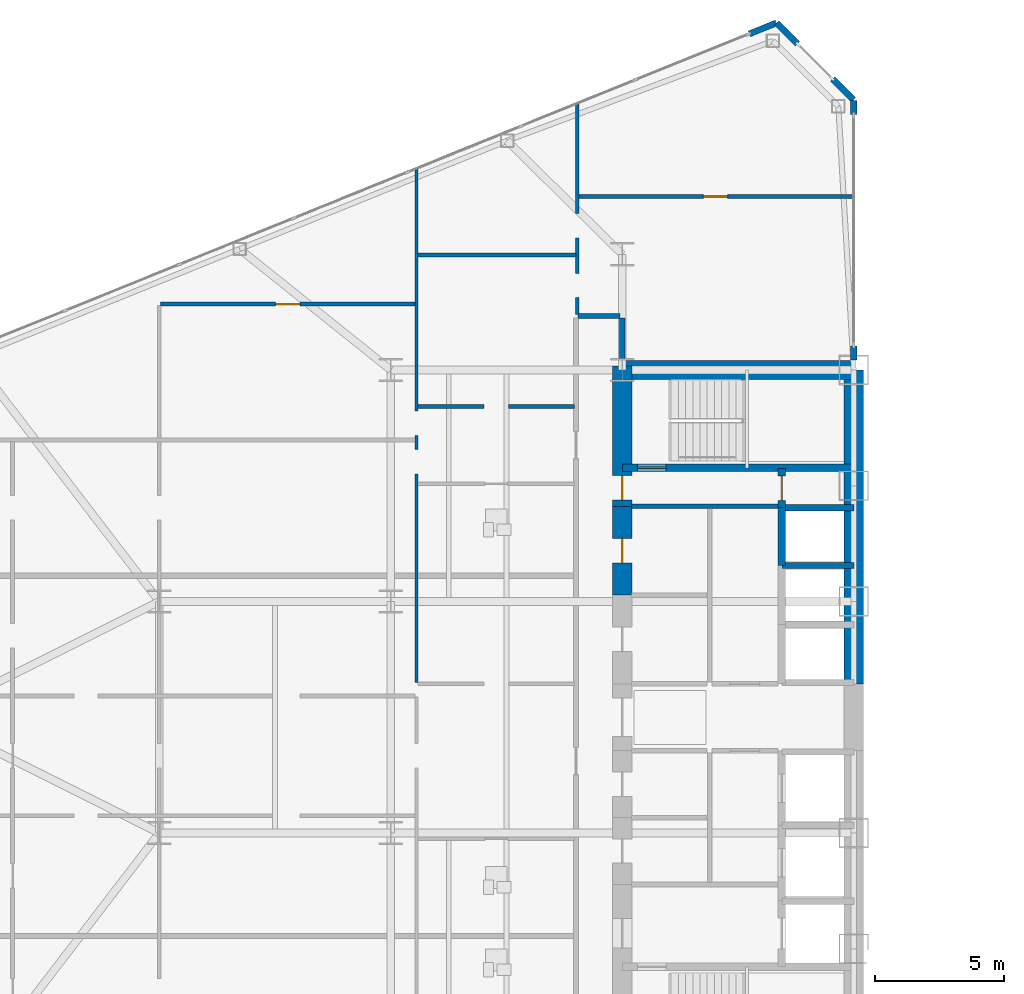
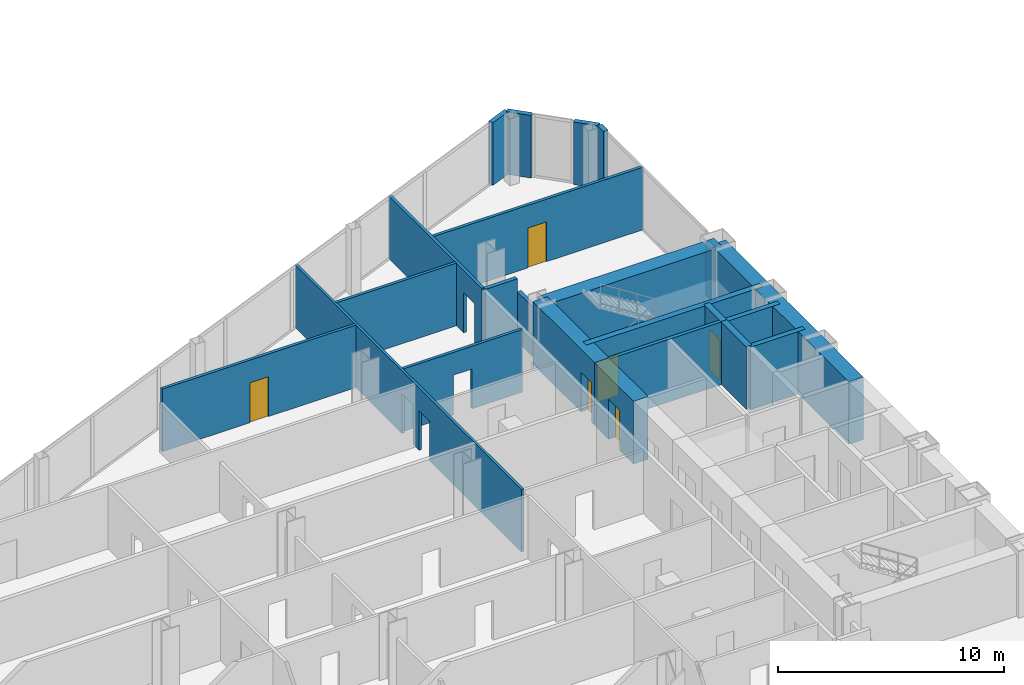
# One storey, part 19 of 25: 23 walls, 6 doors, 11 openings.
"""IFC4 building model written with IfcOpenShell, lengths in metres."""

from ifc_helpers import new_model, si_unit, direction, frame, frame_2d, origin, place, context, subcontext, project, spatial, rectangle, extrude, source, transform, mapped, material, layer, layer_set, type_object, type_shapes, element, fill, save


model = new_model("IFC4")

# Units and contexts
model_context = context("Model", 3, precision=1e-05, world=origin(), true_north=direction((0.0, 1.0)))
body_context = subcontext(model_context, "Body", "Model", "MODEL_VIEW")
ifc_project = project(units=[si_unit("LENGTHUNIT", "METRE"), si_unit("AREAUNIT", "SQUARE_METRE"), si_unit("VOLUMEUNIT", "CUBIC_METRE"), si_unit("PLANEANGLEUNIT", "RADIAN"), si_unit("MASSUNIT", "GRAM", prefix="KILO")], contexts=[model_context])

# Site, building, storey
site_placement = place(None, origin())
site = spatial("IfcSite", under=ifc_project, at=site_placement, CompositionType="ELEMENT")
building_placement = place(site_placement, origin())
building = spatial("IfcBuilding", under=site, at=building_placement, Name="Seokmaru Belvedere", CompositionType="ELEMENT")
storey_placement = place(building_placement, frame((0.0, 0.0, 47.699951171875)))
storey = spatial("IfcBuildingStorey", under=building, at=storey_placement, Name="L12", CompositionType="ELEMENT", Elevation=47.699951171875)

# Wall, opening
ifc_material_1 = material(Name="Fire-Rated Gypsum Shaftwall")
ifc_layer_1 = layer(ifc_material_1, 0.14990234375)
ifc_layer_set_1 = layer_set([ifc_layer_1], Name="Fire-Rated Gypsum Shaftwall")
wall_type_1 = type_object("IfcWallType", Name="Apartment Fire-Acoustic Room Partition 150", PredefinedType="PARTITIONING", material=ifc_layer_set_1)
wall_1_placement = place(storey_placement, frame((-44.449951171875, 12.080078125, 0.0), z_axis=(0.0, 0.0, 1.0), x_axis=(1.0, 0.0, 0.0)))
wall_1 = element("IfcWall", 1, at=wall_1_placement, inside=storey, type_object=wall_type_1, Name="L12 Interior Partition 027", PredefinedType="PARTITIONING", context=body_context, shape_type="SweptSolid", body=[
    extrude(rectangle(XDim=6.099853515625, YDim=0.14990234375, at=frame_2d((3.0498046875, 0.0))), origin(), (0.0, 0.0, 1.0), 3.380126953125),
])
opening_1_placement = place(wall_1_placement, frame((2.574951171875, 0.0, 0.0)))
element("IfcOpeningElement", 2, at=opening_1_placement, cuts=wall_1, Name="L12 Cased Opening 027", PredefinedType="OPENING", context=body_context, shape_type="SweptSolid", body=[
    extrude(rectangle(XDim=0.949951171875, YDim=2.14990234375, at=frame_2d((0.47509765625, 1.074951171875))), frame((0.0, 0.0849609375, 0.0), z_axis=(0.0, -1.0, 0.0), x_axis=(1.0, 0.0, 0.0)), (0.0, 0.0, 1.0), 0.169921875),
])

# Wall, opening, door
wall_2_placement = place(storey_placement, frame((-54.449951171875, 16.06005859375, 0.0), z_axis=(0.0, 0.0, 1.0), x_axis=(1.0, 0.0, 0.0)))
wall_2 = element("IfcWall", 3, at=wall_2_placement, inside=storey, type_object=wall_type_1, Name="L12 Interior Partition 031", PredefinedType="PARTITIONING", context=body_context, shape_type="SweptSolid", body=[
    extrude(rectangle(XDim=9.89990234375, YDim=0.14990234375, at=frame_2d((4.949951171875, 0.0))), origin(), (0.0, 0.0, 1.0), 3.380126953125),
])
opening_2_placement = place(wall_2_placement, frame((4.47509765625, 0.0, 0.0)))
opening_2 = element("IfcOpeningElement", 4, at=opening_2_placement, cuts=wall_2, Name="Opening D05", PredefinedType="OPENING", context=body_context, shape_type="SweptSolid", body=[
    extrude(rectangle(XDim=0.949951171875, YDim=2.14990234375, at=frame_2d((0.47509765625, 1.074951171875))), frame((0.0, 0.0849609375, 0.0), z_axis=(0.0, -1.0, 0.0), x_axis=(1.0, 0.0, 0.0)), (0.0, 0.0, 1.0), 0.169921875),
])
ifc_material_2 = material(Name="Engineered White Oak Timber", Category="wood")
door_type_1 = type_object("IfcDoorType", Name="Apartment Interior Fire-Rated Oak Door 950x2150", OperationType="NOTDEFINED", PredefinedType="DOOR", material=ifc_material_2)
shared_shape_1 = source(origin(), body_context, "Body", "SweptSolid", [
    extrude(rectangle(XDim=0.949951171875, YDim=2.14990234375, at=frame_2d((0.47509765625, 1.074951171875))), frame((0.0, 0.02490234375, 0.0), z_axis=(0.0, -1.0, 0.0), x_axis=(1.0, 0.0, 0.0)), (0.0, 0.0, 1.0), 0.050048828125),
])
type_shapes(door_type_1, [shared_shape_1])
door_1_placement = place(opening_2_placement, origin())
door_1 = element("IfcDoor", 5, at=door_1_placement, inside=storey, type_object=door_type_1, Name="L12 Interior Door 033", OperationType="SINGLE_SWING_RIGHT", OverallHeight=2.14990234375, OverallWidth=0.949951171875, PredefinedType="DOOR", context=body_context, shape_type="MappedRepresentation", body=[
    mapped(shared_shape_1, transform((0.0, 0.0, 0.0), scale=1.0)),
])
fill(opening_2, door_1)

# Wall
wall_3_placement = place(storey_placement, frame((-44.449951171875, 17.969970703125, 0.0), z_axis=(0.0, 0.0, 1.0), x_axis=(1.0, 0.0, 0.0)))
element("IfcWall", 6, at=wall_3_placement, inside=storey, type_object=wall_type_1, Name="L12 Interior Partition 032", PredefinedType="PARTITIONING", context=body_context, shape_type="SweptSolid", body=[
    extrude(rectangle(XDim=6.14990234375, YDim=0.14990234375, at=frame_2d((3.074951171875, 0.0))), origin(), (0.0, 0.0, 1.0), 3.380126953125),
])

# Wall, opening, door
wall_4_placement = place(storey_placement, frame((-38.199951171875, 20.25, 0.0), z_axis=(0.0, 0.0, 1.0), x_axis=(1.0, 0.0, 0.0)))
wall_4 = element("IfcWall", 7, at=wall_4_placement, inside=storey, type_object=wall_type_1, Name="L12 Interior Partition 033", PredefinedType="PARTITIONING", context=body_context, shape_type="SweptSolid", body=[
    extrude(rectangle(XDim=10.73486328125, YDim=0.14990234375, at=frame_2d((5.367431640625, 0.0))), origin(), (0.0, 0.0, 1.0), 3.380126953125),
])
opening_3_placement = place(wall_4_placement, frame((4.85009765625, 0.0, 0.0)))
opening_3 = element("IfcOpeningElement", 8, at=opening_3_placement, cuts=wall_4, Name="Opening D05", PredefinedType="OPENING", context=body_context, shape_type="SweptSolid", body=[
    extrude(rectangle(XDim=0.949951171875, YDim=2.14990234375, at=frame_2d((0.47509765625, 1.074951171875))), frame((0.0, 0.0849609375, 0.0), z_axis=(0.0, -1.0, 0.0), x_axis=(1.0, 0.0, 0.0)), (0.0, 0.0, 1.0), 0.169921875),
])
door_2_placement = place(opening_3_placement, origin())
door_2 = element("IfcDoor", 9, at=door_2_placement, inside=storey, type_object=door_type_1, Name="L12 Interior Door 035", OperationType="SINGLE_SWING_RIGHT", OverallHeight=2.14990234375, OverallWidth=0.949951171875, PredefinedType="DOOR", context=body_context, shape_type="MappedRepresentation", body=[
    mapped(shared_shape_1, transform((0.0, 0.0, 0.0), scale=1.0)),
])
fill(opening_3, door_2)

# Wall, openings
wall_5_placement = place(storey_placement, frame((-38.25, 15.64990234375, 0.0), z_axis=(0.0, 0.0, 1.0), x_axis=(0.0, 1.0, 0.0)))
wall_5 = element("IfcWall", 10, at=wall_5_placement, inside=storey, type_object=wall_type_1, Name="L12 Interior Partition 040", PredefinedType="PARTITIONING", context=body_context, shape_type="SweptSolid", body=[
    extrude(rectangle(XDim=8.248046875, YDim=0.14990234375, at=frame_2d((4.1240234375, 0.0))), origin(), (0.0, 0.0, 1.0), 3.380126953125),
])
opening_4_placement = place(wall_5_placement, frame((0.66015625, 0.0, 0.0)))
element("IfcOpeningElement", 11, at=opening_4_placement, cuts=wall_5, Name="L12 Cased Opening 034", PredefinedType="OPENING", context=body_context, shape_type="SweptSolid", body=[
    extrude(rectangle(XDim=0.949951171875, YDim=2.14990234375, at=frame_2d((0.47509765625, 1.074951171875))), frame((0.0, 0.0849609375, 0.0), z_axis=(0.0, -1.0, 0.0), x_axis=(1.0, 0.0, 0.0)), (0.0, 0.0, 1.0), 0.169921875),
])
opening_5_placement = place(wall_5_placement, frame((2.985107421875, 0.0, 0.0)))
element("IfcOpeningElement", 12, at=opening_5_placement, cuts=wall_5, Name="L12 Cased Opening 036", PredefinedType="OPENING", context=body_context, shape_type="SweptSolid", body=[
    extrude(rectangle(XDim=0.949951171875, YDim=2.14990234375, at=frame_2d((0.47509765625, 1.074951171875))), frame((0.0, 0.0849609375, 0.0), z_axis=(0.0, -1.0, 0.0), x_axis=(1.0, 0.0, 0.0)), (0.0, 0.0, 1.0), 0.169921875),
])

# Walls
ifc_layer_2 = layer(ifc_material_1, 0.179931640625)
ifc_layer_set_2 = layer_set([ifc_layer_2], Name="Fire-Rated Gypsum Shaftwall")
wall_type_2 = type_object("IfcWallType", Name="Core Service Fire Partition 180", PredefinedType="PARTITIONING", material=ifc_layer_set_2)
wall_6_placement = place(storey_placement, frame((-36.14990234375, 8.199951171875, 0.0), z_axis=(0.0, 0.0, 1.0), x_axis=(1.0, 0.0, 0.0)))
element("IfcWall", 13, at=wall_6_placement, inside=storey, type_object=wall_type_2, Name="L12 West Smokeproof Vestibule Partition", PredefinedType="PARTITIONING", context=body_context, shape_type="SweptSolid", body=[
    extrude(rectangle(XDim=5.699951171875, YDim=0.179931640625, at=frame_2d((2.85009765625, 0.0))), origin(), (0.0, 0.0, 1.0), 3.380126953125),
])
ifc_material_3 = material(Name="Concrete C50 (50 MPa)", Category="concrete")
ifc_layer_3 = layer(ifc_material_3, 0.25)
ifc_layer_set_3 = layer_set([ifc_layer_3], Name="Concrete C50 (50 MPa)")
wall_type_3 = type_object("IfcWallType", Name="Hoistway Transverse Concrete Divider Wall 250", PredefinedType="SHEAR", material=ifc_layer_set_3)
for number, where, z_axis, x_axis, name in (
    (14, (-30.300048828125, 5.89990234375, 0.0), (0.0, 0.0, 1.0), (1.0, 0.0, 0.0), "L12 West Hoistway Divider Core Wall 6"),
    (15, (-30.300048828125, 8.14990234375, 0.0), (0.0, 0.0, 1.0), (1.0, 0.0, 0.0), "L12 West Hoistway Divider Core Wall 7"),
):
    element("IfcWall", number, at=place(storey_placement, frame(where, z_axis=z_axis, x_axis=x_axis)), inside=storey, type_object=wall_type_3, Name=name, PredefinedType="SHEAR", context=body_context, shape_type="SweptSolid", body=[
        extrude(rectangle(XDim=2.800048828125, YDim=0.25, at=frame_2d((1.39990234375, 0.0))), origin(), (0.0, 0.0, 1.0), 3.380126953125),
    ])
ifc_layer_4 = layer(ifc_material_1, 0.199951171875)
ifc_layer_set_4 = layer_set([ifc_layer_4], Name="Fire-Rated Gypsum Shaftwall")
wall_type_4 = type_object("IfcWallType", Name="Inter-Tenancy Fire Compartment Partition 200", PredefinedType="PARTITIONING", material=ifc_layer_set_4)
wall_7_placement = place(storey_placement, frame((-38.215087890625, 15.60009765625, 0.0), z_axis=(0.0, 0.0, 1.0), x_axis=(1.0, 0.0, 0.0)))
element("IfcWall", 16, at=wall_7_placement, inside=storey, type_object=wall_type_4, Name="L12 Interior Partition 029", PredefinedType="PARTITIONING", context=body_context, shape_type="SweptSolid", body=[
    extrude(rectangle(XDim=1.630126953125, YDim=0.199951171875, at=frame_2d((0.81494140625, 0.0))), origin(), (0.0, 0.0, 1.0), 3.380126953125),
])
wall_8_placement = place(storey_placement, frame((-36.5, 13.8798828125, 0.0), z_axis=(0.0, 0.0, 1.0), x_axis=(0.0, 1.0, 0.0)))
element("IfcWall", 17, at=wall_8_placement, inside=storey, type_object=wall_type_4, Name="L12 Interior Partition 042", PredefinedType="PARTITIONING", context=body_context, shape_type="SweptSolid", body=[
    extrude(rectangle(XDim=1.635009765625, YDim=0.199951171875, at=frame_2d((0.8173828125, 0.0))), origin(), (0.0, 0.0, 1.0), 2.679931640625),
])

# Wall, opening, door
ifc_layer_5 = layer(ifc_material_3, 0.300048828125)
ifc_layer_set_5 = layer_set([ifc_layer_5], Name="Concrete C50 (50 MPa)")
wall_type_5 = type_object("IfcWallType", Name="Internal Core Stair and Hoistway Wall 300", PredefinedType="SHEAR", material=ifc_layer_set_5)
wall_9_placement = place(storey_placement, frame((-36.5, 9.699951171875, 0.0), z_axis=(0.0, 0.0, 1.0), x_axis=(1.0, 0.0, 0.0)))
wall_9 = element("IfcWall", 18, at=wall_9_placement, inside=storey, type_object=wall_type_5, Name="L12 West Stair ST-2 Enclosure Wall", PredefinedType="SHEAR", context=body_context, shape_type="SweptSolid", body=[
    extrude(rectangle(XDim=9.0, YDim=0.300048828125, at=frame_2d((4.5, 0.0))), origin(), (0.0, 0.0, 1.0), 3.380126953125),
])
opening_6_placement = place(wall_9_placement, frame((0.60009765625, 0.0, 0.0)))
opening_6 = element("IfcOpeningElement", 19, at=opening_6_placement, cuts=wall_9, Name="Opening D01", PredefinedType="OPENING", context=body_context, shape_type="SweptSolid", body=[
    extrude(rectangle(XDim=1.10009765625, YDim=2.199951171875, at=frame_2d((0.550048828125, 1.10009765625))), frame((0.0, 0.16015625, 0.0), z_axis=(0.0, -1.0, 0.0), x_axis=(1.0, 0.0, 0.0)), (0.0, 0.0, 1.0), 0.320068359375),
])
ifc_material_4 = material(Name="Fire-Rated Steel Leaf", Category="steel")
door_type_2 = type_object("IfcDoorType", Name="Special Escape Stair Smokeproof Fire Door 1100x2200", OperationType="NOTDEFINED", PredefinedType="DOOR", material=ifc_material_4)
shared_shape_2 = source(origin(), body_context, "Body", "SweptSolid", [
    extrude(rectangle(XDim=1.10009765625, YDim=2.199951171875, at=frame_2d((0.550048828125, 1.10009765625))), frame((0.0, 0.02490234375, 0.0), z_axis=(0.0, -1.0, 0.0), x_axis=(1.0, 0.0, 0.0)), (0.0, 0.0, 1.0), 0.050048828125),
])
type_shapes(door_type_2, [shared_shape_2])
door_3_placement = place(opening_6_placement, origin())
door_3 = element("IfcDoor", 20, at=door_3_placement, inside=storey, type_object=door_type_2, Name="L12 West Special Escape Stair ST-2 Door", OperationType="SINGLE_SWING_RIGHT", OverallHeight=2.199951171875, OverallWidth=1.10009765625, PredefinedType="DOOR", context=body_context, shape_type="MappedRepresentation", body=[
    mapped(shared_shape_2, transform((0.0, 0.0, 0.0), scale=1.0)),
])
fill(opening_6, door_3)

# Wall
wall_10_placement = place(storey_placement, frame((-30.300048828125, 5.89990234375, 0.0), z_axis=(0.0, 0.0, 1.0), x_axis=(0.0, 1.0, 0.0)))
element("IfcWall", 21, at=wall_10_placement, inside=storey, type_object=wall_type_5, Name="L12 West North Hoistway Wall OBS", PredefinedType="SHEAR", context=body_context, shape_type="SweptSolid", body=[
    extrude(rectangle(XDim=2.25, YDim=0.300048828125, at=frame_2d((1.125, 0.0))), origin(), (0.0, 0.0, 1.0), 3.380126953125),
])

# Wall, opening, door
wall_11_placement = place(storey_placement, frame((-30.300048828125, 8.14990234375, 0.0), z_axis=(0.0, 0.0, 1.0), x_axis=(0.0, 1.0, 0.0)))
wall_11 = element("IfcWall", 22, at=wall_11_placement, inside=storey, type_object=wall_type_5, Name="L12 West Electrical Riser Front Wall", PredefinedType="SHEAR", context=body_context, shape_type="SweptSolid", body=[
    extrude(rectangle(XDim=1.530029296875, YDim=0.300048828125, at=frame_2d((0.76513671875, 0.0))), origin(), (0.0, 0.0, 1.0), 3.380126953125),
])
opening_7_placement = place(wall_11_placement, frame((0.284912109375, 0.0, 0.0)))
opening_7 = element("IfcOpeningElement", 23, at=opening_7_placement, cuts=wall_11, Name="Opening D04", PredefinedType="OPENING", context=body_context, shape_type="SweptSolid", body=[
    extrude(rectangle(XDim=0.949951171875, YDim=2.14990234375, at=frame_2d((0.47509765625, 1.074951171875))), frame((0.0, 0.16015625, 0.0), z_axis=(0.0, -1.0, 0.0), x_axis=(1.0, 0.0, 0.0)), (0.0, 0.0, 1.0), 0.320068359375),
])
door_type_3 = type_object("IfcDoorType", Name="Core Service Room Fire Door 950x2150", OperationType="NOTDEFINED", PredefinedType="DOOR", material=ifc_material_4)
shared_shape_3 = source(origin(), body_context, "Body", "SweptSolid", [
    extrude(rectangle(XDim=0.949951171875, YDim=2.14990234375, at=frame_2d((0.47509765625, 1.074951171875))), frame((0.0, 0.02490234375, 0.0), z_axis=(0.0, -1.0, 0.0), x_axis=(1.0, 0.0, 0.0)), (0.0, 0.0, 1.0), 0.050048828125),
])
type_shapes(door_type_3, [shared_shape_3])
door_4_placement = place(opening_7_placement, origin())
door_4 = element("IfcDoor", 24, at=door_4_placement, inside=storey, type_object=door_type_3, Name="L12 West Electrical Riser Access Door", OperationType="SINGLE_SWING_LEFT", OverallHeight=2.14990234375, OverallWidth=0.949951171875, PredefinedType="DOOR", context=body_context, shape_type="MappedRepresentation", body=[
    mapped(shared_shape_3, transform((0.0, 0.0, 0.0), scale=1.0)),
])
fill(opening_7, door_4)

# Walls
ifc_material_5 = material(Name="Concrete C60 (60 MPa)", Category="concrete")
ifc_layer_6 = layer(ifc_material_5, 0.75)
ifc_layer_set_6 = layer_set([ifc_layer_6], Name="Concrete C60 (60 MPa)")
wall_type_6 = type_object("IfcWallType", Name="Lower Tower Reinforced Concrete Core Wall 750", PredefinedType="SHEAR", material=ifc_layer_set_6)
wall_12_placement = place(storey_placement, frame((-27.5, 1.300048828125, 0.0), z_axis=(0.0, 0.0, 1.0), x_axis=(0.0, 1.0, 0.0)))
element("IfcWall", 25, at=wall_12_placement, inside=storey, type_object=wall_type_6, Name="L12 West Portal Spine Core Wall North", PredefinedType="SHEAR", context=body_context, shape_type="SweptSolid", body=[
    extrude(rectangle(XDim=12.199951171875, YDim=0.75, at=frame_2d((6.10009765625, 0.0))), origin(), (0.0, 0.0, 1.0), 3.380126953125),
])
wall_13_placement = place(storey_placement, frame((-36.5, 13.5, 0.0), z_axis=(0.0, 0.0, 1.0), x_axis=(1.0, 0.0, 0.0)))
element("IfcWall", 26, at=wall_13_placement, inside=storey, type_object=wall_type_6, Name="L12 West North Core Wall", PredefinedType="SHEAR", context=body_context, shape_type="SweptSolid", body=[
    extrude(rectangle(XDim=9.0, YDim=0.75, at=frame_2d((4.5, 0.0))), origin(), (0.0, 0.0, 1.0), 3.380126953125),
])

# Wall, opening, door
wall_14_placement = place(storey_placement, frame((-36.5, 8.199951171875, 0.0), z_axis=(0.0, 0.0, 1.0), x_axis=(0.0, 1.0, 0.0)))
wall_14 = element("IfcWall", 27, at=wall_14_placement, inside=storey, type_object=wall_type_6, Name="L12 West West Core Wall VST", PredefinedType="SHEAR", context=body_context, shape_type="SweptSolid", body=[
    extrude(rectangle(XDim=5.449951171875, YDim=0.75, at=frame_2d((2.72509765625, 0.0))), origin(), (0.0, 0.0, 1.0), 3.380126953125),
])
opening_8_placement = place(wall_14_placement, frame((0.2451171875, 0.0, 0.0)))
opening_8 = element("IfcOpeningElement", 28, at=opening_8_placement, cuts=wall_14, Name="Opening D04", PredefinedType="OPENING", context=body_context, shape_type="SweptSolid", body=[
    extrude(rectangle(XDim=0.949951171875, YDim=2.14990234375, at=frame_2d((0.47509765625, 1.074951171875))), frame((0.0, 0.385009765625, 0.0), z_axis=(0.0, -1.0, 0.0), x_axis=(1.0, 0.0, 0.0)), (0.0, 0.0, 1.0), 0.77001953125),
])
door_5_placement = place(opening_8_placement, frame((0.949951171875, 0.0, 0.0), z_axis=(0.0, 0.0, 1.0), x_axis=(-1.0, 0.0, 0.0)))
door_5 = element("IfcDoor", 29, at=door_5_placement, inside=storey, type_object=door_type_3, Name="L12 West Smokeproof Vestibule Door", OperationType="SINGLE_SWING_RIGHT", OverallHeight=2.14990234375, OverallWidth=0.949951171875, PredefinedType="DOOR", context=body_context, shape_type="MappedRepresentation", body=[
    mapped(shared_shape_3, transform((0.0, 0.0, 0.0), scale=1.0)),
])
fill(opening_8, door_5)

wall_15_placement = place(storey_placement, frame((-36.5, 4.75, 0.0), z_axis=(0.0, 0.0, 1.0), x_axis=(0.0, 1.0, 0.0)))
wall_15 = element("IfcWall", 30, at=wall_15_placement, inside=storey, type_object=wall_type_6, Name="L12 West West Core Wall CS4", PredefinedType="SHEAR", context=body_context, shape_type="SweptSolid", body=[
    extrude(rectangle(XDim=3.449951171875, YDim=0.75, at=frame_2d((1.72509765625, 0.0))), origin(), (0.0, 0.0, 1.0), 3.380126953125),
])
opening_9_placement = place(wall_15_placement, frame((1.25, 0.0, 0.0)))
opening_9 = element("IfcOpeningElement", 31, at=opening_9_placement, cuts=wall_15, Name="Opening D04", PredefinedType="OPENING", context=body_context, shape_type="SweptSolid", body=[
    extrude(rectangle(XDim=0.949951171875, YDim=2.14990234375, at=frame_2d((0.47509765625, 1.074951171875))), frame((0.0, 0.385009765625, 0.0), z_axis=(0.0, -1.0, 0.0), x_axis=(1.0, 0.0, 0.0)), (0.0, 0.0, 1.0), 0.77001953125),
])
door_6_placement = place(opening_9_placement, origin())
door_6 = element("IfcDoor", 32, at=door_6_placement, inside=storey, type_object=door_type_3, Name="L12 West Core Service Room Door 4", OperationType="SINGLE_SWING_RIGHT", OverallHeight=2.14990234375, OverallWidth=0.949951171875, PredefinedType="DOOR", context=body_context, shape_type="MappedRepresentation", body=[
    mapped(shared_shape_3, transform((0.0, 0.0, 0.0), scale=1.0)),
])
fill(opening_9, door_6)

# Wall, openings
ifc_layer_7 = layer(ifc_material_1, 0.1298828125)
ifc_layer_set_7 = layer_set([ifc_layer_7], Name="Fire-Rated Gypsum Shaftwall")
wall_type_7 = type_object("IfcWallType", Name="Moisture-Resistant Fire-Rated Bathroom Partition 130", PredefinedType="PARTITIONING", material=ifc_layer_set_7)
wall_16_placement = place(storey_placement, frame((-44.5, 1.35205078125, 0.0), z_axis=(0.0, 0.0, 1.0), x_axis=(0.0, 1.0, 0.0)))
wall_16 = element("IfcWall", 33, at=wall_16_placement, inside=storey, type_object=wall_type_7, Name="L12 Interior Partition 037", PredefinedType="PARTITIONING", context=body_context, shape_type="SweptSolid", body=[
    extrude(rectangle(XDim=20.015869140625, YDim=0.1298828125, at=frame_2d((10.0078125, 0.0))), origin(), (0.0, 0.0, 1.0), 3.380126953125),
])
opening_10_placement = place(wall_16_placement, frame((8.1005859375, 0.0, 0.0)))
element("IfcOpeningElement", 34, at=opening_10_placement, cuts=wall_16, Name="L12 Cased Opening 028", PredefinedType="OPENING", context=body_context, shape_type="SweptSolid", body=[
    extrude(rectangle(XDim=0.949951171875, YDim=2.14990234375, at=frame_2d((0.47509765625, 1.074951171875))), frame((0.0, 0.074951171875, 0.0), z_axis=(0.0, -1.0, 0.0), x_axis=(1.0, 0.0, 0.0)), (0.0, 0.0, 1.0), 0.14990234375),
])
opening_11_placement = place(wall_16_placement, frame((9.6005859375, 0.0, 0.0)))
element("IfcOpeningElement", 35, at=opening_11_placement, cuts=wall_16, Name="L12 Cased Opening 029", PredefinedType="OPENING", context=body_context, shape_type="SweptSolid", body=[
    extrude(rectangle(XDim=0.949951171875, YDim=2.14990234375, at=frame_2d((0.47509765625, 1.074951171875))), frame((0.0, 0.074951171875, 0.0), z_axis=(0.0, -1.0, 0.0), x_axis=(1.0, 0.0, 0.0)), (0.0, 0.0, 1.0), 0.14990234375),
])

# Walls
ifc_material_6 = material(Name="Anodised Bronze Aluminium", Category="aluminium")
ifc_layer_8 = layer(ifc_material_6, 0.239990234375)
ifc_layer_set_8 = layer_set([ifc_layer_8], Name="Anodised Bronze Aluminium")
wall_type_8 = type_object("IfcWallType", Name="Tower Corner Spandrel Closure Wall 240", PredefinedType="SOLIDWALL", material=ifc_layer_set_8)
wall_17_placement = place(storey_placement, frame((-27.5, 13.8798828125, 0.0), z_axis=(0.0, 0.0, 1.0), x_axis=(0.0, 1.0, 0.0)))
element("IfcWall", 36, at=wall_17_placement, inside=storey, type_object=wall_type_8, Name="L12 W Spine Closure Pier 2A", PredefinedType="SOLIDWALL", context=body_context, shape_type="SweptSolid", body=[
    extrude(rectangle(XDim=0.550048828125, YDim=0.239990234375, at=frame_2d((0.27490234375, 0.0))), origin(), (0.0, 0.0, 1.0), 2.880126953125),
])
wall_18_placement = place(storey_placement, frame((-27.5, 23.429931640625, 0.0), z_axis=(0.0, 0.0, 1.0), x_axis=(0.0, 1.0, 0.0)))
element("IfcWall", 37, at=wall_18_placement, inside=storey, type_object=wall_type_8, Name="L12 W Spine Closure Pier 2B", PredefinedType="SOLIDWALL", context=body_context, shape_type="SweptSolid", body=[
    extrude(rectangle(XDim=0.550048828125, YDim=0.239990234375, at=frame_2d((0.27490234375, 0.0))), origin(), (0.0, 0.0, 1.0), 3.380126953125),
])
for number, where, z_axis, x_axis, name in (
    (38, (-27.507080078125, 24.007080078125, 0.0), (0.0, 0.0, 1.0), (-0.707106781187, 0.707106781187, 0.0), "L12 W Corner Closure Pier 2A"),
    (39, (-29.686767578125, 26.186767578125, 0.0), (0.0, 0.0, 1.0), (-0.707106781187, 0.707106781187, 0.0), "L12 W Corner Closure Pier 2B"),
):
    element("IfcWall", number, at=place(storey_placement, frame(where, z_axis=z_axis, x_axis=x_axis)), inside=storey, type_object=wall_type_8, Name=name, PredefinedType="SOLIDWALL", context=body_context, shape_type="SweptSolid", body=[
        extrude(rectangle(XDim=1.14013671875, YDim=0.239990234375, at=frame_2d((0.570068359375, 0.0))), origin(), (0.0, 0.0, 1.0), 3.380126953125),
    ])
wall_19_placement = place(storey_placement, frame((-30.50927734375, 26.99609375, 0.0), z_axis=(0.0, 0.0, 1.0), x_axis=(-0.927007103665, -0.375043770452, 0.0)))
element("IfcWall", 40, at=wall_19_placement, inside=storey, type_object=wall_type_8, Name="L12 W Corner Closure Pier 3A", PredefinedType="SOLIDWALL", context=body_context, shape_type="SweptSolid", body=[
    extrude(rectangle(XDim=1.139892578125, YDim=0.239990234375, at=frame_2d((0.56982421875, 0.0))), origin(), (0.0, 0.0, 1.0), 3.380126953125),
])

save(model, "model.ifc")
